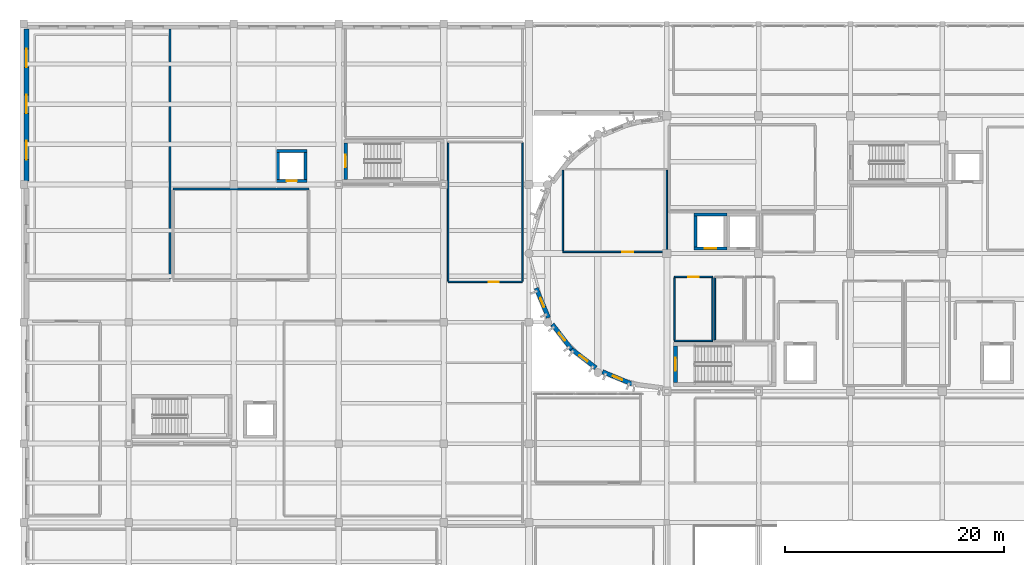
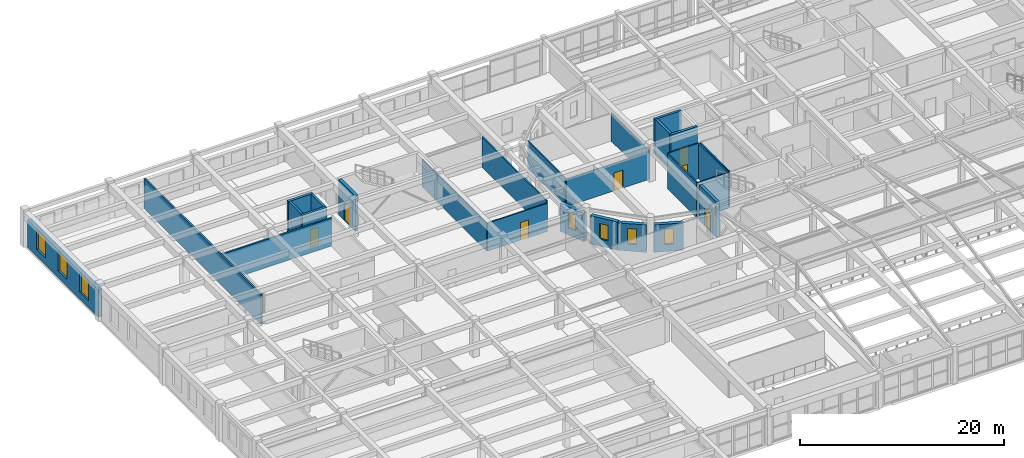
# One storey, part 68 of 91: 27 walls, 7 doors, 7 windows, 14 openings.
"""IFC4 building model written with IfcOpenShell, lengths in metres."""

import ifcopenshell
import ifcopenshell.guid

model = None  # the IFC model being written
_history = None  # IfcOwnerHistory: only IFC2X3 demands one
_inside = {}  # id of a spatial element -> (the spatial element, [elements in it])
_under = {}  # id of a project, library or spatial element -> (it, [spatial elements below it])
_declared = {}  # id of a project -> (the project, [libraries it declares])
_typed = {}  # id of a type object -> (the type object, [elements of that type])
_made_of = {}  # id of a material, layer set ... -> (it, [elements and type objects made of it])


def new_model(schema):
    """Start an empty IFC model of exactly this schema.

    Asked for "IFC4X3", IfcOpenShell would pick the latest addendum, in which some entities
    have other attributes; the version numbers below select the first issue.
    IFC2X3 requires an IfcOwnerHistory on every rooted entity: one is made here for all.
    """
    global model, _history
    if schema == "IFC4X3":
        model = ifcopenshell.file(schema_version=(4, 3, 0, 0))
    else:
        model = ifcopenshell.file(schema=schema)
    _inside.clear()
    _under.clear()
    _declared.clear()
    _typed.clear()
    _made_of.clear()
    _history = None
    if model.schema == "IFC2X3":
        org = make("IfcOrganization", Name="unknown")
        user = make(
            "IfcPersonAndOrganization",
            ThePerson=make("IfcPerson", FamilyName="unknown"),
            TheOrganization=org,
        )
        app = make(
            "IfcApplication",
            ApplicationDeveloper=org,
            Version="unknown",
            ApplicationFullName="unknown",
            ApplicationIdentifier="unknown",
        )
        _history = make(
            "IfcOwnerHistory",
            OwningUser=user,
            OwningApplication=app,
            ChangeAction="ADDED",
            CreationDate=0,
        )
    return model


def make(cls, **values):
    """One entity of the class cls with the attributes given. An attribute that is None is left unset."""
    return model.create_entity(
        cls, **{name: value for name, value in values.items() if value is not None}
    )


def rooted(cls, **values):
    """An entity with a GlobalId (a new one), such as an element, a storey or a relation."""
    return make(cls, GlobalId=ifcopenshell.guid.new(), OwnerHistory=_history, **values)


def si_unit(unit_type, name, prefix=None):
    """IfcSIUnit, for example si_unit("LENGTHUNIT", "METRE", prefix="MILLI")."""
    return make("IfcSIUnit", UnitType=unit_type, Prefix=prefix, Name=name)


def assignment(units):
    """IfcUnitAssignment: the units of a project."""
    return None if units is None else make("IfcUnitAssignment", Units=units)


def point(xyz):
    """IfcCartesianPoint."""
    return None if xyz is None else make("IfcCartesianPoint", Coordinates=xyz)


def direction(xyz):
    """IfcDirection."""
    return None if xyz is None else make("IfcDirection", DirectionRatios=xyz)


def frame(location, z_axis=None, x_axis=None):
    """IfcAxis2Placement3D, a coordinate frame: its origin and axes. An axis left out is left unset."""
    return make(
        "IfcAxis2Placement3D",
        Location=point(location),
        Axis=direction(z_axis),
        RefDirection=direction(x_axis),
    )


def frame_2d(location, x_axis=None):
    """IfcAxis2Placement2D, a coordinate frame in the plane: its origin and x axis."""
    return make(
        "IfcAxis2Placement2D", Location=point(location), RefDirection=direction(x_axis)
    )


def origin():
    """The frame at (0, 0, 0) with its axes left unset."""
    return frame((0.0, 0.0, 0.0))


def place(relative_to, where):
    """IfcLocalPlacement: puts the frame where relative to a parent placement (None: the world)."""
    return make(
        "IfcLocalPlacement", PlacementRelTo=relative_to, RelativePlacement=where
    )


def context(
    kind, dimensions, precision=None, world=None, true_north=None, identifier=None
):
    """IfcGeometricRepresentationContext, for example the 3D "Model" context."""
    return make(
        "IfcGeometricRepresentationContext",
        ContextIdentifier=identifier,
        ContextType=kind,
        CoordinateSpaceDimension=dimensions,
        Precision=precision,
        WorldCoordinateSystem=world,
        TrueNorth=true_north,
    )


def subcontext(parent, identifier, kind, view, scale=None):
    """IfcGeometricRepresentationSubContext, for example "Body" below "Model"."""
    return make(
        "IfcGeometricRepresentationSubContext",
        ContextIdentifier=identifier,
        ContextType=kind,
        ParentContext=parent,
        TargetScale=scale,
        TargetView=view,
    )


def project(units=None, contexts=None):
    """IfcProject with its units and contexts."""
    return rooted(
        "IfcProject",
        Name="project",
        RepresentationContexts=contexts,
        UnitsInContext=assignment(units),
    )


def spatial(cls, under=None, at=None, **own):
    """A site, building, storey or space (cls), placed at a placement, below another one or the project."""
    s = rooted(cls, ObjectPlacement=at, **own)
    if under is not None:
        _under.setdefault(under.id(), (under, []))[1].append(s)
    return s


def profile(cls, at=None, kind="AREA", **sizes):
    """A parametric profile (cls). Its sizes go by their IFC names, for example OverallWidth=200.0."""
    return make(cls, ProfileType=kind, Position=at, **sizes)


def rectangle(**sizes):
    """IfcRectangleProfileDef."""
    return profile("IfcRectangleProfileDef", **sizes)


def extrude(swept, where, along, depth):
    """IfcExtrudedAreaSolid: the profile swept, set in the frame where, extruded along a direction by depth."""
    return make(
        "IfcExtrudedAreaSolid",
        SweptArea=swept,
        Position=where,
        ExtrudedDirection=direction(along),
        Depth=depth,
    )


def shape(context_of_items, identifier, shape_type, items):
    """IfcShapeRepresentation: the items that make up one representation, for example the "Body"."""
    return make(
        "IfcShapeRepresentation",
        ContextOfItems=context_of_items,
        RepresentationIdentifier=identifier,
        RepresentationType=shape_type,
        Items=items,
    )


def material(Name=None, Category=None):
    """IfcMaterial."""
    return make("IfcMaterial", Name=Name, Category=Category)


def layer(
    of_material, thickness, ventilated=None, Name=None, Category=None, Priority=None
):
    """IfcMaterialLayer: one layer of a wall or slab, of a material (None: an air gap)."""
    return make(
        "IfcMaterialLayer",
        Material=of_material,
        LayerThickness=thickness,
        IsVentilated=ventilated,
        Name=Name,
        Category=Category,
        Priority=Priority,
    )


def layer_set(layers, Name=None):
    """IfcMaterialLayerSet."""
    return make("IfcMaterialLayerSet", MaterialLayers=layers, LayerSetName=Name)


def made_of(thing, what):
    """Note that an element or type object is made of a material, layer set ...; save() writes the relation."""
    if what is not None:
        _made_of.setdefault(what.id(), (what, []))[1].append(thing)
    return thing


def type_object(cls, material=None, **own):
    """A type object (cls), such as IfcWallType, which elements share."""
    return made_of(rooted(cls, **own), material)


def element(
    cls,
    number,
    at=None,
    inside=None,
    cuts=None,
    type_object=None,
    material=None,
    context=None,
    identifier="Body",
    shape_type=None,
    held_by="IfcProductDefinitionShape",
    body=None,
    shapes=None,
    **own,
):
    """One element of the class cls, such as IfcWall. Its Tag is "e" and its number.

    at: its placement. inside: the storey or other place that contains it. cuts: it is an
    opening in that element (IfcRelVoidsElement). A single representation is given by context,
    identifier, shape_type and body (its items); several are given by shapes. held_by: the class
    of the entity that holds the representations. save() writes the other relations.
    """
    e = rooted(cls, Tag="e%d" % number, ObjectPlacement=at, **own)
    if body is not None:
        shapes = [shape(context, identifier, shape_type, body)]
    if shapes is not None:
        e.Representation = make(held_by, Representations=shapes)
    if inside is not None:
        _inside.setdefault(inside.id(), (inside, []))[1].append(e)
    if cuts is not None:
        rooted(
            "IfcRelVoidsElement", RelatingBuildingElement=cuts, RelatedOpeningElement=e
        )
    if type_object is not None:
        _typed.setdefault(type_object.id(), (type_object, []))[1].append(e)
    return made_of(e, material)


def fill(opening, filler):
    """IfcRelFillsElement: the door or window that sits in an opening."""
    return rooted(
        "IfcRelFillsElement",
        RelatingOpeningElement=opening,
        RelatedBuildingElement=filler,
    )


def aggregate(whole, parts):
    """IfcRelAggregates: a whole, such as a stair, and the parts it consists of."""
    return rooted("IfcRelAggregates", RelatingObject=whole, RelatedObjects=parts)


def save(model, path):
    """Write the relations noted so far, then the file.

    IfcRelAggregates (storeys below a building ...), IfcRelContainedInSpatialStructure (elements
    in a storey), IfcRelDefinesByType, IfcRelAssociatesMaterial and IfcRelDeclares: one each for
    every whole, place, type object, material and project.
    """
    for whole, parts in _under.values():
        aggregate(whole, parts)
    for where, things in _inside.values():
        rooted(
            "IfcRelContainedInSpatialStructure",
            RelatedElements=things,
            RelatingStructure=where,
        )
    for kind, things in _typed.values():
        rooted("IfcRelDefinesByType", RelatedObjects=things, RelatingType=kind)
    for what, things in _made_of.values():
        rooted("IfcRelAssociatesMaterial", RelatedObjects=things, RelatingMaterial=what)
    for by, libraries in _declared.values():
        rooted("IfcRelDeclares", RelatingContext=by, RelatedDefinitions=libraries)
    model.write(path)


model = new_model("IFC4")

# Units and contexts
model_context = context("Model", 3, precision=1e-05, world=origin(), true_north=direction((0.0, 1.0)))
body_context = subcontext(model_context, "Body", "Model", "MODEL_VIEW")
ifc_project = project(units=[si_unit("LENGTHUNIT", "METRE"), si_unit("AREAUNIT", "SQUARE_METRE"), si_unit("VOLUMEUNIT", "CUBIC_METRE"), si_unit("PLANEANGLEUNIT", "RADIAN"), si_unit("MASSUNIT", "GRAM", prefix="KILO")], contexts=[model_context])

# Site, building, storey
site_placement = place(None, origin())
site = spatial("IfcSite", under=ifc_project, at=site_placement, CompositionType="ELEMENT")
building_placement = place(site_placement, origin())
building = spatial("IfcBuilding", under=site, at=building_placement, Name="Tarnavel Promenade Courthouse", CompositionType="ELEMENT")
storey_placement = place(building_placement, frame((0.0, 0.0, 9.89990234375)))
storey = spatial("IfcBuildingStorey", under=building, at=storey_placement, Name="L03", CompositionType="ELEMENT", Elevation=9.89990234375)

# Wall
ifc_material_1 = material(Name="Concrete C40/50", Category="concrete")
ifc_layer_1 = layer(ifc_material_1, 0.280029296875)
ifc_layer_set_1 = layer_set([ifc_layer_1], Name="Concrete C40/50")
wall_type_1 = type_object("IfcWallType", Name="Concrete C40/50 WL-SHR-280 (280 mm)", PredefinedType="SHEAR", material=ifc_layer_set_1)
wall_1_placement = place(storey_placement, frame((61.300048828125, 95.360107421875, 0.0), z_axis=(0.0, 0.0, 1.0), x_axis=(1.0, 0.0, 0.0)))
element("IfcWall", 1, at=wall_1_placement, inside=storey, type_object=wall_type_1, Name="L03 L-PUB1 Lift Shaft North Wall", PredefinedType="SHEAR", context=body_context, shape_type="SweptSolid", body=[
    extrude(rectangle(XDim=3.0, YDim=0.280029296875, at=frame_2d((1.5, 0.0))), origin(), (0.0, 0.0, 1.0), 4.25),
])

# Wall, opening, door
wall_2_placement = place(storey_placement, frame((64.300048828125, 92.239990234375, 0.0), z_axis=(0.0, 0.0, 1.0), x_axis=(-1.0, 0.0, 0.0)))
wall_2 = element("IfcWall", 2, at=wall_2_placement, inside=storey, type_object=wall_type_1, Name="L03 L-PUB1 Lift Shaft South Wall", PredefinedType="SHEAR", context=body_context, shape_type="SweptSolid", body=[
    extrude(rectangle(XDim=3.0, YDim=0.280029296875, at=frame_2d((1.5, 0.0))), origin(), (0.0, 0.0, 1.0), 4.25),
])
opening_1_placement = place(wall_2_placement, frame((0.97509765625, 0.0, 0.0)))
opening_1 = element("IfcOpeningElement", 3, at=opening_1_placement, cuts=wall_2, Name="Opening LD-02", PredefinedType="OPENING", context=body_context, shape_type="SweptSolid", body=[
    extrude(rectangle(XDim=1.050048828125, YDim=2.199951171875, at=frame_2d((0.52490234375, 1.10009765625))), frame((0.0, 0.14990234375, 0.0), z_axis=(0.0, -1.0, 0.0), x_axis=(1.0, 0.0, 0.0)), (0.0, 0.0, 1.0), 0.300048828125),
])
ifc_material_2 = material(Name="Brushed Bronze Passenger Lift Landing Sliding Door")
door_type_1 = type_object("IfcDoorType", Name="Brushed Bronze Passenger Lift Landing Sliding Door (LD-PUB-1050x2200)", OperationType="NOTDEFINED", PredefinedType="DOOR", material=ifc_material_2)
door_1_placement = place(opening_1_placement, origin())
door_1 = element("IfcDoor", 4, at=door_1_placement, inside=storey, type_object=door_type_1, Name="L03 L-PUB1 Lift Sliding Landing Door", OperationType="DOUBLE_DOOR_SLIDING", OverallHeight=2.199951171875, OverallWidth=1.050048828125, PredefinedType="DOOR", context=body_context, shape_type="SweptSolid", body=[
    extrude(rectangle(XDim=1.050048828125, YDim=2.199951171875, at=frame_2d((0.52490234375, 1.10009765625))), frame((0.0, 0.02490234375, 0.0), z_axis=(0.0, -1.0, 0.0), x_axis=(1.0, 0.0, 0.0)), (0.0, 0.0, 1.0), 0.050048828125),
])
fill(opening_1, door_1)

# Walls
wall_3_placement = place(storey_placement, frame((61.43994140625, 92.3798828125, 0.0), z_axis=(0.0, 0.0, 1.0), x_axis=(0.0, 1.0, 0.0)))
element("IfcWall", 5, at=wall_3_placement, inside=storey, type_object=wall_type_1, Name="L03 L-PUB1 Lift Shaft West Wall", PredefinedType="SHEAR", context=body_context, shape_type="SweptSolid", body=[
    extrude(rectangle(XDim=2.840087890625, YDim=0.280029296875, at=frame_2d((1.419921875, 0.0))), origin(), (0.0, 0.0, 1.0), 4.25),
])
wall_4_placement = place(storey_placement, frame((23.10009765625, 101.159912109375, 0.0), z_axis=(0.0, 0.0, 1.0), x_axis=(1.0, 0.0, 0.0)))
element("IfcWall", 6, at=wall_4_placement, inside=storey, type_object=wall_type_1, Name="L03 L-JUD2 Lift Shaft North Wall", PredefinedType="SHEAR", context=body_context, shape_type="SweptSolid", body=[
    extrude(rectangle(XDim=2.7998046875, YDim=0.280029296875, at=frame_2d((1.39990234375, 0.0))), origin(), (0.0, 0.0, 1.0), 4.25),
])

# Wall, opening, door
wall_5_placement = place(storey_placement, frame((25.89990234375, 98.43994140625, 0.0), z_axis=(0.0, 0.0, 1.0), x_axis=(-1.0, 0.0, 0.0)))
wall_5 = element("IfcWall", 7, at=wall_5_placement, inside=storey, type_object=wall_type_1, Name="L03 L-JUD2 Lift Shaft South Wall", PredefinedType="SHEAR", context=body_context, shape_type="SweptSolid", body=[
    extrude(rectangle(XDim=2.7998046875, YDim=0.280029296875, at=frame_2d((1.39990234375, 0.0))), origin(), (0.0, 0.0, 1.0), 4.25),
])
opening_2_placement = place(wall_5_placement, frame((0.925048828125, 0.0, 0.0)))
opening_2 = element("IfcOpeningElement", 8, at=opening_2_placement, cuts=wall_5, Name="Opening LD-03", PredefinedType="OPENING", context=body_context, shape_type="SweptSolid", body=[
    extrude(rectangle(XDim=0.949951171875, YDim=2.14990234375, at=frame_2d((0.47509765625, 1.074951171875))), frame((0.0, 0.14990234375, 0.0), z_axis=(0.0, -1.0, 0.0), x_axis=(1.0, 0.0, 0.0)), (0.0, 0.0, 1.0), 0.300048828125),
])
ifc_material_3 = material(Name="Stainless Steel Judicial Lift Landing Sliding Door", Category="steel")
door_type_2 = type_object("IfcDoorType", Name="Stainless Steel Judicial Lift Landing Sliding Door (LD-JUD-0950x2150)", OperationType="NOTDEFINED", PredefinedType="DOOR", material=ifc_material_3)
door_2_placement = place(opening_2_placement, origin())
door_2 = element("IfcDoor", 9, at=door_2_placement, inside=storey, type_object=door_type_2, Name="L03 L-JUD2 Lift Sliding Landing Door", OperationType="DOUBLE_DOOR_SLIDING", OverallHeight=2.14990234375, OverallWidth=0.949951171875, PredefinedType="DOOR", context=body_context, shape_type="SweptSolid", body=[
    extrude(rectangle(XDim=0.949951171875, YDim=2.14990234375, at=frame_2d((0.47509765625, 1.074951171875))), frame((0.0, 0.02490234375, 0.0), z_axis=(0.0, -1.0, 0.0), x_axis=(1.0, 0.0, 0.0)), (0.0, 0.0, 1.0), 0.050048828125),
])
fill(opening_2, door_2)

# Walls
for number, where, z_axis, x_axis, name in (
    (10, (23.239990234375, 98.580078125, 0.0), (0.0, 0.0, 1.0), (0.0, 1.0, 0.0), "L03 L-JUD2 Lift Shaft West Wall"),
    (11, (25.760009765625, 101.02001953125, 0.0), (0.0, 0.0, 1.0), (0.0, -1.0, 0.0), "L03 L-JUD2 Lift Shaft East Wall"),
):
    element("IfcWall", number, at=place(storey_placement, frame(where, z_axis=z_axis, x_axis=x_axis)), inside=storey, type_object=wall_type_1, Name=name, PredefinedType="SHEAR", context=body_context, shape_type="SweptSolid", body=[
        extrude(rectangle(XDim=2.43994140625, YDim=0.280029296875, at=frame_2d((1.219970703125, 0.0))), origin(), (0.0, 0.0, 1.0), 4.25),
    ])

# Wall, opening, door
ifc_layer_2 = layer(ifc_material_1, 0.320068359375)
ifc_layer_set_2 = layer_set([ifc_layer_2], Name="Concrete C40/50")
wall_type_2 = type_object("IfcWallType", Name="Concrete C40/50 WL-SHR-320 (320 mm)", PredefinedType="SHEAR", material=ifc_layer_set_2)
wall_6_placement = place(storey_placement, frame((29.419921875, 98.580078125, 0.0), z_axis=(0.0, 0.0, 1.0), x_axis=(0.0, 1.0, 0.0)))
wall_6 = element("IfcWall", 12, at=wall_6_placement, inside=storey, type_object=wall_type_2, Name="L03 ST-07 Shear Core West Landing Wall", PredefinedType="SHEAR", context=body_context, shape_type="SweptSolid", body=[
    extrude(rectangle(XDim=3.31982421875, YDim=0.320068359375, at=frame_2d((1.659912109375, 0.0))), origin(), (0.0, 0.0, 1.0), 4.25),
])
opening_3_placement = place(wall_6_placement, frame((1.0849609375, 0.0, 0.0)))
opening_3 = element("IfcOpeningElement", 13, at=opening_3_placement, cuts=wall_6, Name="Opening FD-01", PredefinedType="OPENING", context=body_context, shape_type="SweptSolid", body=[
    extrude(rectangle(XDim=1.14990234375, YDim=2.199951171875, at=frame_2d((0.574951171875, 1.10009765625))), frame((0.0, 0.169921875, 0.0), z_axis=(0.0, -1.0, 0.0), x_axis=(1.0, 0.0, 0.0)), (0.0, 0.0, 1.0), 0.340087890625),
])
ifc_material_4 = material(Name="Steel Fire-Rated Stair Core Door", Category="steel")
door_type_3 = type_object("IfcDoorType", Name="Steel Fire-Rated Stair Core Door (DR-ST-1150x2200)", OperationType="NOTDEFINED", PredefinedType="DOOR", material=ifc_material_4)
door_3_placement = place(opening_3_placement, origin())
door_3 = element("IfcDoor", 14, at=door_3_placement, inside=storey, type_object=door_type_3, Name="L03 ST-07 Protected Exit Stair Door", OperationType="SINGLE_SWING_RIGHT", OverallHeight=2.199951171875, OverallWidth=1.14990234375, PredefinedType="DOOR", context=body_context, shape_type="SweptSolid", body=[
    extrude(rectangle(XDim=1.14990234375, YDim=2.199951171875, at=frame_2d((0.574951171875, 1.10009765625))), frame((0.0, 0.02490234375, 0.0), z_axis=(0.0, -1.0, 0.0), x_axis=(1.0, 0.0, 0.0)), (0.0, 0.0, 1.0), 0.050048828125),
])
fill(opening_3, door_3)

ifc_layer_3 = layer(ifc_material_1, 0.360107421875)
ifc_layer_set_3 = layer_set([ifc_layer_3], Name="Concrete C40/50")
wall_type_3 = type_object("IfcWallType", Name="Concrete C40/50 WL-SHR-360 (360 mm)", PredefinedType="SHEAR", material=ifc_layer_set_3)
wall_7_placement = place(storey_placement, frame((59.60009765625, 79.97998046875, 0.0), z_axis=(0.0, 0.0, 1.0), x_axis=(0.0, 1.0, 0.0)))
wall_7 = element("IfcWall", 15, at=wall_7_placement, inside=storey, type_object=wall_type_3, Name="L03 ST-01 Shear Core West Landing Wall", PredefinedType="SHEAR", context=body_context, shape_type="SweptSolid", body=[
    extrude(rectangle(XDim=3.360107421875, YDim=0.360107421875, at=frame_2d((1.68017578125, 0.0))), origin(), (0.0, 0.0, 1.0), 4.25),
])
opening_4_placement = place(wall_7_placement, frame((1.080078125, 0.0, 0.0)))
opening_4 = element("IfcOpeningElement", 16, at=opening_4_placement, cuts=wall_7, Name="Opening FD-02", PredefinedType="OPENING", context=body_context, shape_type="SweptSolid", body=[
    extrude(rectangle(XDim=1.199951171875, YDim=2.199951171875, at=frame_2d((0.60009765625, 1.10009765625))), frame((0.0, 0.18994140625, 0.0), z_axis=(0.0, -1.0, 0.0), x_axis=(1.0, 0.0, 0.0)), (0.0, 0.0, 1.0), 0.380126953125),
])
ifc_material_5 = material(Name="Steel Fire-Rated Firefighting Stair Door", Category="steel")
door_type_4 = type_object("IfcDoorType", Name="Steel Fire-Rated Firefighting Stair Door (DR-ST-1200x2200)", OperationType="NOTDEFINED", PredefinedType="DOOR", material=ifc_material_5)
door_4_placement = place(opening_4_placement, origin())
door_4 = element("IfcDoor", 17, at=door_4_placement, inside=storey, type_object=door_type_4, Name="L03 ST-01 Protected Exit Stair Door", OperationType="SINGLE_SWING_LEFT", OverallHeight=2.199951171875, OverallWidth=1.199951171875, PredefinedType="DOOR", context=body_context, shape_type="SweptSolid", body=[
    extrude(rectangle(XDim=1.199951171875, YDim=2.199951171875, at=frame_2d((0.60009765625, 1.10009765625))), frame((0.0, 0.02490234375, 0.0), z_axis=(0.0, -1.0, 0.0), x_axis=(1.0, 0.0, 0.0)), (0.0, 0.0, 1.0), 0.050048828125),
])
fill(opening_4, door_4)

# Walls
ifc_material_6 = material(Name="Double-Stud Acoustic Courtroom Partition Assembly", Category="gypsum")
ifc_layer_4 = layer(ifc_material_6, 0.18505859375)
ifc_layer_set_4 = layer_set([ifc_layer_4], Name="Double-Stud Acoustic Courtroom Partition Assembly")
wall_type_4 = type_object("IfcWallType", Name="Double-Stud Acoustic Courtroom Partition Assembly WL-CRT-185 (185 mm)", PredefinedType="PARTITIONING", material=ifc_layer_set_4)
wall_8_placement = place(storey_placement, frame((13.360107421875, 112.345947265625, 0.0), z_axis=(0.0, 0.0, 1.0), x_axis=(0.0, -1.0, 0.0)))
element("IfcWall", 18, at=wall_8_placement, inside=storey, type_object=wall_type_4, Name="L03 Criminal Assize Courtroom A Partition 0433", PredefinedType="PARTITIONING", context=body_context, shape_type="SweptSolid", body=[
    extrude(rectangle(XDim=22.903564453125, YDim=0.18505859375, at=frame_2d((11.45166015625, 0.0))), origin(), (0.0, 0.0, 1.0), 3.580078125),
])
wall_9_placement = place(storey_placement, frame((13.639892578125, 97.699951171875, 0.0), z_axis=(0.0, 0.0, 1.0), x_axis=(1.0, 0.0, 0.0)))
element("IfcWall", 19, at=wall_9_placement, inside=storey, type_object=wall_type_4, Name="L03 Criminal Assize Courtroom B Partition 0434", PredefinedType="PARTITIONING", context=body_context, shape_type="SweptSolid", body=[
    extrude(rectangle(XDim=12.420166015625, YDim=0.18505859375, at=frame_2d((6.2099609375, 0.0))), origin(), (0.0, 0.0, 1.0), 3.330078125),
])

# Wall, openings, windows
ifc_material_7 = material(Name="Limestone Ashlar Faced Insulated Brick Masonry", Category="masonry")
ifc_layer_5 = layer(ifc_material_7, 0.43994140625)
ifc_layer_set_5 = layer_set([ifc_layer_5], Name="Limestone Ashlar Faced Insulated Brick Masonry")
wall_type_5 = type_object("IfcWallType", Name="Limestone Ashlar Faced Insulated Brick Masonry WL-EXT-440 (440 mm)", PredefinedType="STANDARD", material=ifc_layer_set_5)
wall_10_placement = place(storey_placement, frame((0.239990234375, 98.43701171875, 0.0), z_axis=(0.0, 0.0, 1.0), x_axis=(0.0, 1.0, 0.0)))
wall_10 = element("IfcWall", 20, at=wall_10_placement, inside=storey, type_object=wall_type_5, Name="L03 Trial Wing West Ashlar Facade 0298", PredefinedType="STANDARD", context=body_context, shape_type="SweptSolid", body=[
    extrude(rectangle(XDim=13.910888671875, YDim=0.43994140625, at=frame_2d((6.95556640625, 0.0))), origin(), (0.0, 0.0, 1.0), 3.330078125),
])
opening_5_placement = place(wall_10_placement, frame((1.94970703125, 0.0, 0.85009765625)))
opening_5 = element("IfcOpeningElement", 21, at=opening_5_placement, cuts=wall_10, Name="Opening W-01", PredefinedType="OPENING", context=body_context, shape_type="SweptSolid", body=[
    extrude(rectangle(XDim=1.699951171875, YDim=2.300048828125, at=frame_2d((0.85009765625, 1.14990234375))), frame((0.0, 0.22998046875, 0.0), z_axis=(0.0, -1.0, 0.0), x_axis=(1.0, 0.0, 0.0)), (0.0, 0.0, 1.0), 0.4599609375),
])
opening_6_placement = place(wall_10_placement, frame((6.1630859375, 0.0, 0.85009765625)))
opening_6 = element("IfcOpeningElement", 22, at=opening_6_placement, cuts=wall_10, Name="Opening W-01", PredefinedType="OPENING", context=body_context, shape_type="SweptSolid", body=[
    extrude(rectangle(XDim=1.699951171875, YDim=2.300048828125, at=frame_2d((0.85009765625, 1.14990234375))), frame((0.0, 0.22998046875, 0.0), z_axis=(0.0, -1.0, 0.0), x_axis=(1.0, 0.0, 0.0)), (0.0, 0.0, 1.0), 0.4599609375),
])
opening_7_placement = place(wall_10_placement, frame((10.376220703125, 0.0, 0.85009765625)))
opening_7 = element("IfcOpeningElement", 23, at=opening_7_placement, cuts=wall_10, Name="Opening W-01", PredefinedType="OPENING", context=body_context, shape_type="SweptSolid", body=[
    extrude(rectangle(XDim=1.699951171875, YDim=2.300048828125, at=frame_2d((0.85009765625, 1.14990234375))), frame((0.0, 0.22998046875, 0.0), z_axis=(0.0, -1.0, 0.0), x_axis=(1.0, 0.0, 0.0)), (0.0, 0.0, 1.0), 0.4599609375),
])
ifc_material_8 = material(Name="Triple Low-E Glazed Bronze-Clad Window Assembly")
window_type_1 = type_object("IfcWindowType", Name="Triple-Glazed Bronze-Clad Timber-Aluminium WIN-CRT-1700x2300", PartitioningType="SINGLE_PANEL", PredefinedType="WINDOW", material=ifc_material_8)
window_1_placement = place(opening_5_placement, origin())
window_1 = element("IfcWindow", 24, at=window_1_placement, inside=storey, type_object=window_type_1, Name="L03 Exterior Window 0294", OverallHeight=2.300048828125, OverallWidth=1.699951171875, PartitioningType="SINGLE_PANEL", PredefinedType="WINDOW", context=body_context, shape_type="SweptSolid", body=[
    extrude(rectangle(XDim=1.699951171875, YDim=2.300048828125, at=frame_2d((0.85009765625, 1.14990234375))), frame((0.0, 0.030029296875, 0.0), z_axis=(0.0, -1.0, 0.0), x_axis=(1.0, 0.0, 0.0)), (0.0, 0.0, 1.0), 0.06005859375),
])
fill(opening_5, window_1)
window_2_placement = place(opening_6_placement, origin())
window_2 = element("IfcWindow", 25, at=window_2_placement, inside=storey, type_object=window_type_1, Name="L03 Exterior Window 0295", OverallHeight=2.300048828125, OverallWidth=1.699951171875, PartitioningType="SINGLE_PANEL", PredefinedType="WINDOW", context=body_context, shape_type="SweptSolid", body=[
    extrude(rectangle(XDim=1.699951171875, YDim=2.300048828125, at=frame_2d((0.85009765625, 1.14990234375))), frame((0.0, 0.030029296875, 0.0), z_axis=(0.0, -1.0, 0.0), x_axis=(1.0, 0.0, 0.0)), (0.0, 0.0, 1.0), 0.06005859375),
])
fill(opening_6, window_2)
window_3_placement = place(opening_7_placement, origin())
window_3 = element("IfcWindow", 26, at=window_3_placement, inside=storey, type_object=window_type_1, Name="L03 Exterior Window 0296", OverallHeight=2.300048828125, OverallWidth=1.699951171875, PartitioningType="SINGLE_PANEL", PredefinedType="WINDOW", context=body_context, shape_type="SweptSolid", body=[
    extrude(rectangle(XDim=1.699951171875, YDim=2.300048828125, at=frame_2d((0.85009765625, 1.14990234375))), frame((0.0, 0.030029296875, 0.0), z_axis=(0.0, -1.0, 0.0), x_axis=(1.0, 0.0, 0.0)), (0.0, 0.0, 1.0), 0.06005859375),
])
fill(opening_7, window_3)

# Wall, opening, door
ifc_material_9 = material(Name="Metal-Stud Acoustic Gypsum Partition", Category="gypsum")
ifc_layer_6 = layer(ifc_material_9, 0.135009765625)
ifc_layer_set_6 = layer_set([ifc_layer_6], Name="Metal-Stud Acoustic Gypsum Partition")
wall_type_6 = type_object("IfcWallType", Name="Metal-Stud Acoustic Gypsum Partition WL-OFF-135 (135 mm)", PredefinedType="PARTITIONING", material=ifc_layer_set_6)
wall_11_placement = place(storey_placement, frame((59.5, 89.64990234375, 0.0), z_axis=(0.0, 0.0, 1.0), x_axis=(1.0, 0.0, 0.0)))
wall_11 = element("IfcWall", 27, at=wall_11_placement, inside=storey, type_object=wall_type_6, Name="L03 L03 Bailiffs' Duty Room Partition 0424", PredefinedType="PARTITIONING", context=body_context, shape_type="SweptSolid", body=[
    extrude(rectangle(XDim=3.5, YDim=0.135009765625, at=frame_2d((1.75, 0.0))), origin(), (0.0, 0.0, 1.0), 4.235107421875),
])
opening_8_placement = place(wall_11_placement, frame((1.27490234375, 0.0, 0.0)))
opening_8 = element("IfcOpeningElement", 28, at=opening_8_placement, cuts=wall_11, Name="Opening ID-06", PredefinedType="OPENING", context=body_context, shape_type="SweptSolid", body=[
    extrude(rectangle(XDim=0.949951171875, YDim=2.14990234375, at=frame_2d((0.47509765625, 1.074951171875))), frame((0.0, 0.077392578125, 0.0), z_axis=(0.0, -1.0, 0.0), x_axis=(1.0, 0.0, 0.0)), (0.0, 0.0, 1.0), 0.155029296875),
])
ifc_material_10 = material(Name="Acoustic Timber Veneer Office Door", Category="wood")
door_type_5 = type_object("IfcDoorType", Name="Acoustic Timber Veneer Office Door (DR-OFF-0950x2150)", OperationType="NOTDEFINED", PredefinedType="DOOR", material=ifc_material_10)
door_5_placement = place(opening_8_placement, origin())
door_5 = element("IfcDoor", 29, at=door_5_placement, inside=storey, type_object=door_type_5, Name="L03 L03 Bailiffs' Duty Room Door 0121", OperationType="SINGLE_SWING_LEFT", OverallHeight=2.14990234375, OverallWidth=0.949951171875, PredefinedType="DOOR", context=body_context, shape_type="SweptSolid", body=[
    extrude(rectangle(XDim=0.949951171875, YDim=2.14990234375, at=frame_2d((0.47509765625, 1.074951171875))), frame((0.0, 0.02490234375, 0.0), z_axis=(0.0, -1.0, 0.0), x_axis=(1.0, 0.0, 0.0)), (0.0, 0.0, 1.0), 0.050048828125),
])
fill(opening_8, door_5)

# Walls
wall_12_placement = place(storey_placement, frame((63.0, 83.800048828125, 0.0), z_axis=(0.0, 0.0, 1.0), x_axis=(-1.0, 0.0, 0.0)))
element("IfcWall", 30, at=wall_12_placement, inside=storey, type_object=wall_type_6, Name="L03 L03 Bailiffs' Duty Room Partition 0425", PredefinedType="PARTITIONING", context=body_context, shape_type="SweptSolid", body=[
    extrude(rectangle(XDim=3.5, YDim=0.135009765625, at=frame_2d((1.75, 0.0))), origin(), (0.0, 0.0, 1.0), 4.235107421875),
])
for number, where, z_axis, x_axis, name in (
    (31, (59.5, 83.87744140625, 0.0), (0.0, 0.0, 1.0), (0.0, 1.0, 0.0), "L03 L03 Bailiffs' Duty Room Partition 0426"),
    (32, (63.0, 89.572509765625, 0.0), (0.0, 0.0, 1.0), (0.0, -1.0, 0.0), "L03 L03 Bailiffs' Duty Room Partition 0427"),
):
    element("IfcWall", number, at=place(storey_placement, frame(where, z_axis=z_axis, x_axis=x_axis)), inside=storey, type_object=wall_type_6, Name=name, PredefinedType="PARTITIONING", context=body_context, shape_type="SweptSolid", body=[
        extrude(rectangle(XDim=5.695068359375, YDim=0.135009765625, at=frame_2d((2.84765625, 0.0))), origin(), (0.0, 0.0, 1.0), 4.235107421875),
    ])

# Wall, opening, door
wall_13_placement = place(storey_placement, frame((45.60009765625, 89.199951171875, 0.0), z_axis=(0.0, 0.0, 1.0), x_axis=(-1.0, 0.0, 0.0)))
wall_13 = element("IfcWall", 33, at=wall_13_placement, inside=storey, type_object=wall_type_6, Name="L03 L03 Witness Waiting Room Partition 0442", PredefinedType="PARTITIONING", context=body_context, shape_type="SweptSolid", body=[
    extrude(rectangle(XDim=6.800048828125, YDim=0.135009765625, at=frame_2d((3.39990234375, 0.0))), origin(), (0.0, 0.0, 1.0), 3.380126953125),
])
opening_9_placement = place(wall_13_placement, frame((2.152587890625, 0.0, 0.0)))
opening_9 = element("IfcOpeningElement", 34, at=opening_9_placement, cuts=wall_13, Name="Opening ID-06", PredefinedType="OPENING", context=body_context, shape_type="SweptSolid", body=[
    extrude(rectangle(XDim=0.949951171875, YDim=2.14990234375, at=frame_2d((0.47509765625, 1.074951171875))), frame((0.0, 0.077392578125, 0.0), z_axis=(0.0, -1.0, 0.0), x_axis=(1.0, 0.0, 0.0)), (0.0, 0.0, 1.0), 0.155029296875),
])
door_6_placement = place(opening_9_placement, origin())
door_6 = element("IfcDoor", 35, at=door_6_placement, inside=storey, type_object=door_type_5, Name="L03 L03 Witness Waiting Room Door 0126", OperationType="SINGLE_SWING_RIGHT", OverallHeight=2.14990234375, OverallWidth=0.949951171875, PredefinedType="DOOR", context=body_context, shape_type="SweptSolid", body=[
    extrude(rectangle(XDim=0.949951171875, YDim=2.14990234375, at=frame_2d((0.47509765625, 1.074951171875))), frame((0.0, 0.02490234375, 0.0), z_axis=(0.0, -1.0, 0.0), x_axis=(1.0, 0.0, 0.0)), (0.0, 0.0, 1.0), 0.050048828125),
])
fill(opening_9, door_6)

# Walls
wall_14_placement = place(storey_placement, frame((38.800048828125, 89.277587890625, 0.0), z_axis=(0.0, 0.0, 1.0), x_axis=(0.0, 1.0, 0.0)))
element("IfcWall", 36, at=wall_14_placement, inside=storey, type_object=wall_type_6, Name="L03 L03 Witness Waiting Room Partition 0443", PredefinedType="PARTITIONING", context=body_context, shape_type="SweptSolid", body=[
    extrude(rectangle(XDim=12.64501953125, YDim=0.135009765625, at=frame_2d((6.322509765625, 0.0))), origin(), (0.0, 0.0, 1.0), 3.330078125),
])
wall_15_placement = place(storey_placement, frame((45.60009765625, 101.922607421875, 0.0), z_axis=(0.0, 0.0, 1.0), x_axis=(0.0, -1.0, 0.0)))
element("IfcWall", 37, at=wall_15_placement, inside=storey, type_object=wall_type_6, Name="L03 L03 Witness Waiting Room Partition 0444", PredefinedType="PARTITIONING", context=body_context, shape_type="SweptSolid", body=[
    extrude(rectangle(XDim=12.64501953125, YDim=0.135009765625, at=frame_2d((6.322509765625, 0.0))), origin(), (0.0, 0.0, 1.0), 3.630126953125),
])

# Wall, opening, door
wall_16_placement = place(storey_placement, frame((58.800048828125, 91.949951171875, 0.0), z_axis=(0.0, 0.0, 1.0), x_axis=(-1.0, 0.0, 0.0)))
wall_16 = element("IfcWall", 38, at=wall_16_placement, inside=storey, type_object=wall_type_6, Name="L03 L03 West Drum Rotunda Meeting North Partition 0549", PredefinedType="PARTITIONING", context=body_context, shape_type="SweptSolid", body=[
    extrude(rectangle(XDim=9.5, YDim=0.135009765625, at=frame_2d((4.75, 0.0))), origin(), (0.0, 0.0, 1.0), 3.280029296875),
])
opening_10_placement = place(wall_16_placement, frame((3.072998046875, 0.0, 0.0)))
opening_10 = element("IfcOpeningElement", 39, at=opening_10_placement, cuts=wall_16, Name="Opening ID-07", PredefinedType="OPENING", context=body_context, shape_type="SweptSolid", body=[
    extrude(rectangle(XDim=1.02001953125, YDim=2.14990234375, at=frame_2d((0.510009765625, 1.074951171875))), frame((0.0, 0.077392578125, 0.0), z_axis=(0.0, -1.0, 0.0), x_axis=(1.0, 0.0, 0.0)), (0.0, 0.0, 1.0), 0.155029296875),
])
ifc_material_11 = material(Name="Acoustic Timber Seminar Room Door", Category="wood")
door_type_6 = type_object("IfcDoorType", Name="Acoustic Timber Seminar Room Door (DR-MTG-1020x2150)", OperationType="NOTDEFINED", PredefinedType="DOOR", material=ifc_material_11)
door_7_placement = place(opening_10_placement, origin())
door_7 = element("IfcDoor", 40, at=door_7_placement, inside=storey, type_object=door_type_6, Name="L03 L03 West Drum Rotunda Meeting North Door 0157", OperationType="SINGLE_SWING_RIGHT", OverallHeight=2.14990234375, OverallWidth=1.02001953125, PredefinedType="DOOR", context=body_context, shape_type="SweptSolid", body=[
    extrude(rectangle(XDim=1.02001953125, YDim=2.14990234375, at=frame_2d((0.510009765625, 1.074951171875))), frame((0.0, 0.02490234375, 0.0), z_axis=(0.0, -1.0, 0.0), x_axis=(1.0, 0.0, 0.0)), (0.0, 0.0, 1.0), 0.050048828125),
])
fill(opening_10, door_7)

# Walls
for number, where, z_axis, x_axis, name in (
    (41, (49.300048828125, 92.027587890625, 0.0), (0.0, 0.0, 1.0), (0.0, 1.0, 0.0), "L03 L03 West Drum Rotunda Meeting North Partition 0550"),
    (42, (58.800048828125, 99.422607421875, 0.0), (0.0, 0.0, 1.0), (0.0, -1.0, 0.0), "L03 L03 West Drum Rotunda Meeting North Partition 0551"),
):
    element("IfcWall", number, at=place(storey_placement, frame(where, z_axis=z_axis, x_axis=x_axis)), inside=storey, type_object=wall_type_6, Name=name, PredefinedType="PARTITIONING", context=body_context, shape_type="SweptSolid", body=[
        extrude(rectangle(XDim=7.39501953125, YDim=0.135009765625, at=frame_2d((3.697509765625, 0.0))), origin(), (0.0, 0.0, 1.0), 3.380126953125),
    ])
ifc_material_12 = material(Name="Moisture-Resistant Tile-Backed Stud Partition", Category="gypsum")
ifc_layer_7 = layer(ifc_material_12, 0.125)
ifc_layer_set_7 = layer_set([ifc_layer_7], Name="Moisture-Resistant Tile-Backed Stud Partition")
wall_type_7 = type_object("IfcWallType", Name="Moisture-Resistant Tile-Backed Stud Partition WL-WET-125 (125 mm)", PredefinedType="PARTITIONING", material=ifc_layer_set_7)
wall_17_placement = place(storey_placement, frame((63.199951171875, 83.87255859375, 0.0), z_axis=(0.0, 0.0, 1.0), x_axis=(0.0, 1.0, 0.0)))
element("IfcWall", 43, at=wall_17_placement, inside=storey, type_object=wall_type_7, Name="L03 Public WC Partition 0410", PredefinedType="PARTITIONING", context=body_context, shape_type="SweptSolid", body=[
    extrude(rectangle(XDim=5.704833984375, YDim=0.125, at=frame_2d((2.8525390625, 0.0))), origin(), (0.0, 0.0, 1.0), 4.235107421875),
])

# Wall, opening, window
ifc_material_13 = material(Name="Patinated Copper-Bronze Insulated Drum Wall Assembly", Category="masonry")
ifc_layer_8 = layer(ifc_material_13, 0.39501953125)
ifc_layer_set_8 = layer_set([ifc_layer_8], Name="Patinated Copper-Bronze Insulated Drum Wall Assembly")
wall_type_8 = type_object("IfcWallType", Name="Patinated Copper-Bronze Insulated Drum Wall Assembly WL-DRUM-395 (395 mm)", PredefinedType="ELEMENTEDWALL", material=ifc_layer_set_8)
wall_18_placement = place(storey_placement, frame((46.8603515625, 88.634521484375, 0.0), z_axis=(0.0, 0.0, 1.0), x_axis=(0.382632249505, -0.923900731485, 0.0)))
wall_18 = element("IfcWall", 44, at=wall_18_placement, inside=storey, type_object=wall_type_8, Name="L03 W Copper Drum Chord Wall 08 0064", PredefinedType="ELEMENTEDWALL", context=body_context, shape_type="SweptSolid", body=[
    extrude(rectangle(XDim=2.947265625, YDim=0.39501953125, at=frame_2d((1.4736328125, 0.0))), origin(), (0.0, 0.0, 1.0), 3.380126953125),
])
opening_11_placement = place(wall_18_placement, frame((0.987060546875, 0.0, 0.85009765625)))
opening_11 = element("IfcOpeningElement", 45, at=opening_11_placement, cuts=wall_18, Name="Opening W-08", PredefinedType="OPENING", context=body_context, shape_type="SweptSolid", body=[
    extrude(rectangle(XDim=0.89990234375, YDim=1.85009765625, at=frame_2d((0.449951171875, 0.925048828125))), frame((0.0, 0.20751953125, 0.0), z_axis=(0.0, -1.0, 0.0), x_axis=(1.0, 0.0, 0.0)), (0.0, 0.0, 1.0), 0.4150390625),
])
window_type_2 = type_object("IfcWindowType", Name="Triple-Glazed Bronze-Clad Timber-Aluminium WIN-DRM-0900x1850", PartitioningType="SINGLE_PANEL", PredefinedType="WINDOW", material=ifc_material_8)
window_4_placement = place(opening_11_placement, origin())
window_4 = element("IfcWindow", 46, at=window_4_placement, inside=storey, type_object=window_type_2, Name="L03 Exterior Window 0039", OverallHeight=1.85009765625, OverallWidth=0.89990234375, PartitioningType="SINGLE_PANEL", PredefinedType="WINDOW", context=body_context, shape_type="SweptSolid", body=[
    extrude(rectangle(XDim=0.89990234375, YDim=1.85009765625, at=frame_2d((0.449951171875, 0.925048828125))), frame((0.0, 0.030029296875, 0.0), z_axis=(0.0, -1.0, 0.0), x_axis=(1.0, 0.0, 0.0)), (0.0, 0.0, 1.0), 0.06005859375),
])
fill(opening_11, window_4)

wall_19_placement = place(storey_placement, frame((48.339111328125, 85.322998046875, 0.0), z_axis=(0.0, 0.0, 1.0), x_axis=(0.608729278603, -0.79337800913, 0.0)))
wall_19 = element("IfcWall", 47, at=wall_19_placement, inside=storey, type_object=wall_type_8, Name="L03 W Copper Drum Chord Wall 09 0065", PredefinedType="ELEMENTEDWALL", context=body_context, shape_type="SweptSolid", body=[
    extrude(rectangle(XDim=2.87451171875, YDim=0.39501953125, at=frame_2d((1.437255859375, 0.0))), origin(), (0.0, 0.0, 1.0), 3.380126953125),
])
opening_12_placement = place(wall_19_placement, frame((0.987060546875, 0.0, 0.85009765625)))
opening_12 = element("IfcOpeningElement", 48, at=opening_12_placement, cuts=wall_19, Name="Opening W-08", PredefinedType="OPENING", context=body_context, shape_type="SweptSolid", body=[
    extrude(rectangle(XDim=0.89990234375, YDim=1.85009765625, at=frame_2d((0.449951171875, 0.925048828125))), frame((0.0, 0.20751953125, 0.0), z_axis=(0.0, -1.0, 0.0), x_axis=(1.0, 0.0, 0.0)), (0.0, 0.0, 1.0), 0.4150390625),
])
window_5_placement = place(opening_12_placement, origin())
window_5 = element("IfcWindow", 49, at=window_5_placement, inside=storey, type_object=window_type_2, Name="L03 Exterior Window 0040", OverallHeight=1.85009765625, OverallWidth=0.89990234375, PartitioningType="SINGLE_PANEL", PredefinedType="WINDOW", context=body_context, shape_type="SweptSolid", body=[
    extrude(rectangle(XDim=0.89990234375, YDim=1.85009765625, at=frame_2d((0.449951171875, 0.925048828125))), frame((0.0, 0.030029296875, 0.0), z_axis=(0.0, -1.0, 0.0), x_axis=(1.0, 0.0, 0.0)), (0.0, 0.0, 1.0), 0.06005859375),
])
fill(opening_12, window_5)

wall_20_placement = place(storey_placement, frame((50.042724609375, 83.0888671875, 0.0), z_axis=(0.0, 0.0, 1.0), x_axis=(0.793346533164, -0.608770300127, 0.0)))
wall_20 = element("IfcWall", 50, at=wall_20_placement, inside=storey, type_object=wall_type_8, Name="L03 W Copper Drum Chord Wall 10 0066", PredefinedType="ELEMENTEDWALL", context=body_context, shape_type="SweptSolid", body=[
    extrude(rectangle(XDim=2.874267578125, YDim=0.39501953125, at=frame_2d((1.43701171875, 0.0))), origin(), (0.0, 0.0, 1.0), 3.280029296875),
])
opening_13_placement = place(wall_20_placement, frame((0.987060546875, 0.0, 0.85009765625)))
opening_13 = element("IfcOpeningElement", 51, at=opening_13_placement, cuts=wall_20, Name="Opening W-08", PredefinedType="OPENING", context=body_context, shape_type="SweptSolid", body=[
    extrude(rectangle(XDim=0.89990234375, YDim=1.85009765625, at=frame_2d((0.449951171875, 0.925048828125))), frame((0.0, 0.20751953125, 0.0), z_axis=(0.0, -1.0, 0.0), x_axis=(1.0, 0.0, 0.0)), (0.0, 0.0, 1.0), 0.4150390625),
])
window_6_placement = place(opening_13_placement, origin())
window_6 = element("IfcWindow", 52, at=window_6_placement, inside=storey, type_object=window_type_2, Name="L03 Exterior Window 0041", OverallHeight=1.85009765625, OverallWidth=0.89990234375, PartitioningType="SINGLE_PANEL", PredefinedType="WINDOW", context=body_context, shape_type="SweptSolid", body=[
    extrude(rectangle(XDim=0.89990234375, YDim=1.85009765625, at=frame_2d((0.449951171875, 0.925048828125))), frame((0.0, 0.030029296875, 0.0), z_axis=(0.0, -1.0, 0.0), x_axis=(1.0, 0.0, 0.0)), (0.0, 0.0, 1.0), 0.06005859375),
])
fill(opening_13, window_6)

wall_21_placement = place(storey_placement, frame((52.91162109375, 80.988037109375, 0.0), z_axis=(0.0, 0.0, 1.0), x_axis=(0.923900731485, -0.382632249505, 0.0)))
wall_21 = element("IfcWall", 53, at=wall_21_placement, inside=storey, type_object=wall_type_8, Name="L03 W Copper Drum Chord Wall 11 0067", PredefinedType="ELEMENTEDWALL", context=body_context, shape_type="SweptSolid", body=[
    extrude(rectangle(XDim=2.947265625, YDim=0.39501953125, at=frame_2d((1.4736328125, 0.0))), origin(), (0.0, 0.0, 1.0), 3.280029296875),
])
opening_14_placement = place(wall_21_placement, frame((1.06005859375, 0.0, 0.85009765625)))
opening_14 = element("IfcOpeningElement", 54, at=opening_14_placement, cuts=wall_21, Name="Opening W-08", PredefinedType="OPENING", context=body_context, shape_type="SweptSolid", body=[
    extrude(rectangle(XDim=0.89990234375, YDim=1.85009765625, at=frame_2d((0.449951171875, 0.925048828125))), frame((0.0, 0.20751953125, 0.0), z_axis=(0.0, -1.0, 0.0), x_axis=(1.0, 0.0, 0.0)), (0.0, 0.0, 1.0), 0.4150390625),
])
window_7_placement = place(opening_14_placement, origin())
window_7 = element("IfcWindow", 55, at=window_7_placement, inside=storey, type_object=window_type_2, Name="L03 Exterior Window 0042", OverallHeight=1.85009765625, OverallWidth=0.89990234375, PartitioningType="SINGLE_PANEL", PredefinedType="WINDOW", context=body_context, shape_type="SweptSolid", body=[
    extrude(rectangle(XDim=0.89990234375, YDim=1.85009765625, at=frame_2d((0.449951171875, 0.925048828125))), frame((0.0, 0.030029296875, 0.0), z_axis=(0.0, -1.0, 0.0), x_axis=(1.0, 0.0, 0.0)), (0.0, 0.0, 1.0), 0.06005859375),
])
fill(opening_14, window_7)

save(model, "model.ifc")
